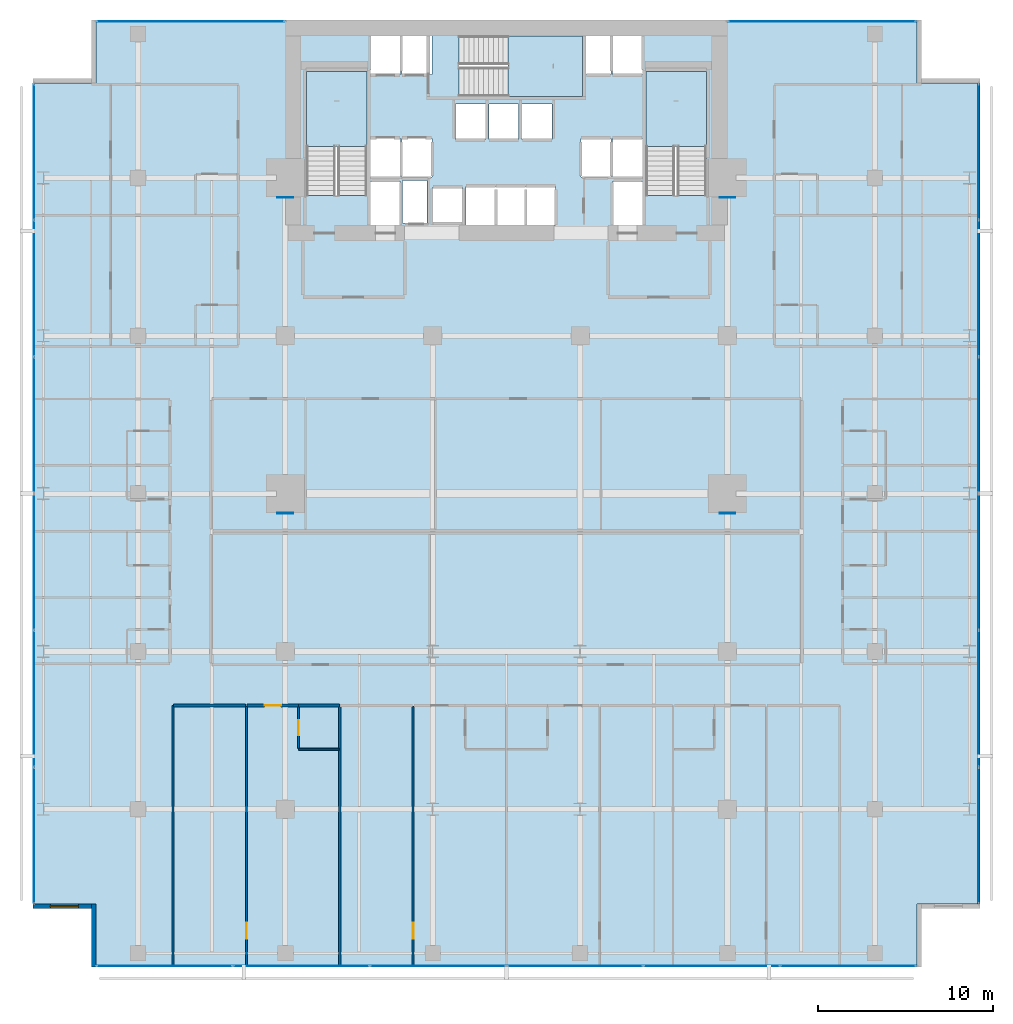
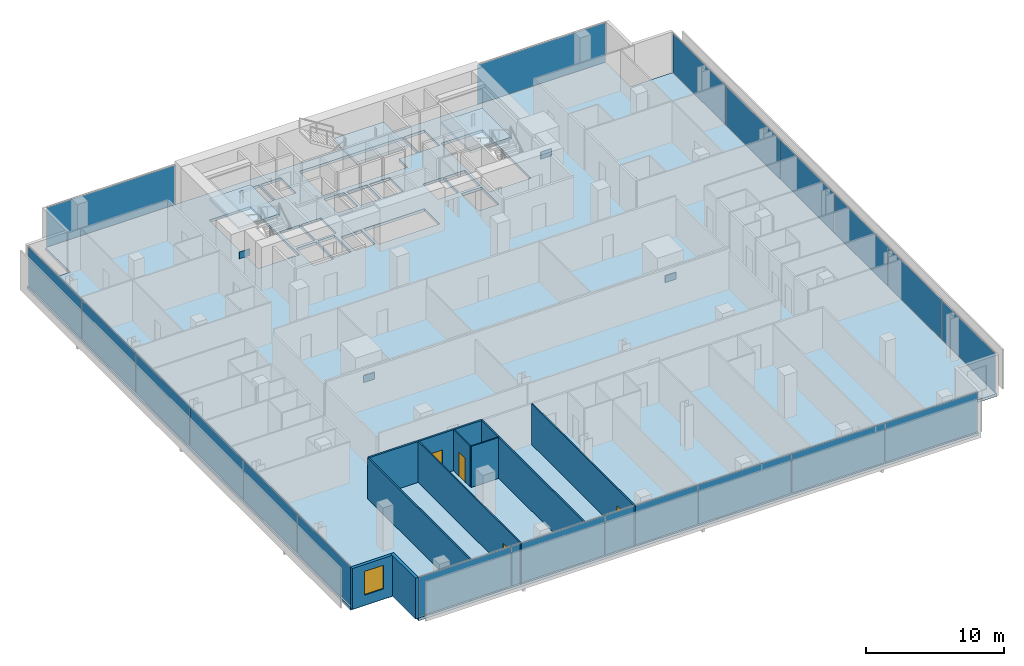
# One storey, part 32 of 40: 24 plates, 11 walls, 4 doors, 4 slabs, 1 window, 5 openings, 8 elements without a shape of their own.
"""IFC4 building model written with IfcOpenShell, lengths in metres."""

import ifcopenshell
import ifcopenshell.guid

model = None  # the IFC model being written
_history = None  # IfcOwnerHistory: only IFC2X3 demands one
_inside = {}  # id of a spatial element -> (the spatial element, [elements in it])
_under = {}  # id of a project, library or spatial element -> (it, [spatial elements below it])
_declared = {}  # id of a project -> (the project, [libraries it declares])
_typed = {}  # id of a type object -> (the type object, [elements of that type])
_made_of = {}  # id of a material, layer set ... -> (it, [elements and type objects made of it])


def new_model(schema):
    """Start an empty IFC model of exactly this schema.

    Asked for "IFC4X3", IfcOpenShell would pick the latest addendum, in which some entities
    have other attributes; the version numbers below select the first issue.
    IFC2X3 requires an IfcOwnerHistory on every rooted entity: one is made here for all.
    """
    global model, _history
    if schema == "IFC4X3":
        model = ifcopenshell.file(schema_version=(4, 3, 0, 0))
    else:
        model = ifcopenshell.file(schema=schema)
    _inside.clear()
    _under.clear()
    _declared.clear()
    _typed.clear()
    _made_of.clear()
    _history = None
    if model.schema == "IFC2X3":
        org = make("IfcOrganization", Name="unknown")
        user = make(
            "IfcPersonAndOrganization",
            ThePerson=make("IfcPerson", FamilyName="unknown"),
            TheOrganization=org,
        )
        app = make(
            "IfcApplication",
            ApplicationDeveloper=org,
            Version="unknown",
            ApplicationFullName="unknown",
            ApplicationIdentifier="unknown",
        )
        _history = make(
            "IfcOwnerHistory",
            OwningUser=user,
            OwningApplication=app,
            ChangeAction="ADDED",
            CreationDate=0,
        )
    return model


def make(cls, **values):
    """One entity of the class cls with the attributes given. An attribute that is None is left unset."""
    return model.create_entity(
        cls, **{name: value for name, value in values.items() if value is not None}
    )


def rooted(cls, **values):
    """An entity with a GlobalId (a new one), such as an element, a storey or a relation."""
    return make(cls, GlobalId=ifcopenshell.guid.new(), OwnerHistory=_history, **values)


def si_unit(unit_type, name, prefix=None):
    """IfcSIUnit, for example si_unit("LENGTHUNIT", "METRE", prefix="MILLI")."""
    return make("IfcSIUnit", UnitType=unit_type, Prefix=prefix, Name=name)


def assignment(units):
    """IfcUnitAssignment: the units of a project."""
    return None if units is None else make("IfcUnitAssignment", Units=units)


def point(xyz):
    """IfcCartesianPoint."""
    return None if xyz is None else make("IfcCartesianPoint", Coordinates=xyz)


def direction(xyz):
    """IfcDirection."""
    return None if xyz is None else make("IfcDirection", DirectionRatios=xyz)


def frame(location, z_axis=None, x_axis=None):
    """IfcAxis2Placement3D, a coordinate frame: its origin and axes. An axis left out is left unset."""
    return make(
        "IfcAxis2Placement3D",
        Location=point(location),
        Axis=direction(z_axis),
        RefDirection=direction(x_axis),
    )


def frame_2d(location, x_axis=None):
    """IfcAxis2Placement2D, a coordinate frame in the plane: its origin and x axis."""
    return make(
        "IfcAxis2Placement2D", Location=point(location), RefDirection=direction(x_axis)
    )


def origin():
    """The frame at (0, 0, 0) with its axes left unset."""
    return frame((0.0, 0.0, 0.0))


def origin_2d():
    """The frame at (0, 0) in the plane with its x axis left unset."""
    return frame_2d((0.0, 0.0))


def place(relative_to, where):
    """IfcLocalPlacement: puts the frame where relative to a parent placement (None: the world)."""
    return make(
        "IfcLocalPlacement", PlacementRelTo=relative_to, RelativePlacement=where
    )


def context(
    kind, dimensions, precision=None, world=None, true_north=None, identifier=None
):
    """IfcGeometricRepresentationContext, for example the 3D "Model" context."""
    return make(
        "IfcGeometricRepresentationContext",
        ContextIdentifier=identifier,
        ContextType=kind,
        CoordinateSpaceDimension=dimensions,
        Precision=precision,
        WorldCoordinateSystem=world,
        TrueNorth=true_north,
    )


def subcontext(parent, identifier, kind, view, scale=None):
    """IfcGeometricRepresentationSubContext, for example "Body" below "Model"."""
    return make(
        "IfcGeometricRepresentationSubContext",
        ContextIdentifier=identifier,
        ContextType=kind,
        ParentContext=parent,
        TargetScale=scale,
        TargetView=view,
    )


def project(units=None, contexts=None):
    """IfcProject with its units and contexts."""
    return rooted(
        "IfcProject",
        Name="project",
        RepresentationContexts=contexts,
        UnitsInContext=assignment(units),
    )


def spatial(cls, under=None, at=None, **own):
    """A site, building, storey or space (cls), placed at a placement, below another one or the project."""
    s = rooted(cls, ObjectPlacement=at, **own)
    if under is not None:
        _under.setdefault(under.id(), (under, []))[1].append(s)
    return s


def polyline(points):
    """IfcPolyline through the points."""
    return make("IfcPolyline", Points=[point(p) for p in points])


def profile(cls, at=None, kind="AREA", **sizes):
    """A parametric profile (cls). Its sizes go by their IFC names, for example OverallWidth=200.0."""
    return make(cls, ProfileType=kind, Position=at, **sizes)


def rectangle(**sizes):
    """IfcRectangleProfileDef."""
    return profile("IfcRectangleProfileDef", **sizes)


def outline(outer, holes=None, kind="AREA"):
    """IfcArbitraryClosedProfileDef: a profile drawn as a closed curve; with holes, ...WithVoids."""
    if holes is None:
        return make("IfcArbitraryClosedProfileDef", ProfileType=kind, OuterCurve=outer)
    return make(
        "IfcArbitraryProfileDefWithVoids",
        ProfileType=kind,
        OuterCurve=outer,
        InnerCurves=holes,
    )


def extrude(swept, where, along, depth):
    """IfcExtrudedAreaSolid: the profile swept, set in the frame where, extruded along a direction by depth."""
    return make(
        "IfcExtrudedAreaSolid",
        SweptArea=swept,
        Position=where,
        ExtrudedDirection=direction(along),
        Depth=depth,
    )


def shape(context_of_items, identifier, shape_type, items):
    """IfcShapeRepresentation: the items that make up one representation, for example the "Body"."""
    return make(
        "IfcShapeRepresentation",
        ContextOfItems=context_of_items,
        RepresentationIdentifier=identifier,
        RepresentationType=shape_type,
        Items=items,
    )


def material(Name=None, Category=None):
    """IfcMaterial."""
    return make("IfcMaterial", Name=Name, Category=Category)


def layer(
    of_material, thickness, ventilated=None, Name=None, Category=None, Priority=None
):
    """IfcMaterialLayer: one layer of a wall or slab, of a material (None: an air gap)."""
    return make(
        "IfcMaterialLayer",
        Material=of_material,
        LayerThickness=thickness,
        IsVentilated=ventilated,
        Name=Name,
        Category=Category,
        Priority=Priority,
    )


def layer_set(layers, Name=None):
    """IfcMaterialLayerSet."""
    return make("IfcMaterialLayerSet", MaterialLayers=layers, LayerSetName=Name)


def made_of(thing, what):
    """Note that an element or type object is made of a material, layer set ...; save() writes the relation."""
    if what is not None:
        _made_of.setdefault(what.id(), (what, []))[1].append(thing)
    return thing


def type_object(cls, material=None, **own):
    """A type object (cls), such as IfcWallType, which elements share."""
    return made_of(rooted(cls, **own), material)


def element(
    cls,
    number,
    at=None,
    inside=None,
    cuts=None,
    type_object=None,
    material=None,
    context=None,
    identifier="Body",
    shape_type=None,
    held_by="IfcProductDefinitionShape",
    body=None,
    shapes=None,
    **own,
):
    """One element of the class cls, such as IfcWall. Its Tag is "e" and its number.

    at: its placement. inside: the storey or other place that contains it. cuts: it is an
    opening in that element (IfcRelVoidsElement). A single representation is given by context,
    identifier, shape_type and body (its items); several are given by shapes. held_by: the class
    of the entity that holds the representations. save() writes the other relations.
    """
    e = rooted(cls, Tag="e%d" % number, ObjectPlacement=at, **own)
    if body is not None:
        shapes = [shape(context, identifier, shape_type, body)]
    if shapes is not None:
        e.Representation = make(held_by, Representations=shapes)
    if inside is not None:
        _inside.setdefault(inside.id(), (inside, []))[1].append(e)
    if cuts is not None:
        rooted(
            "IfcRelVoidsElement", RelatingBuildingElement=cuts, RelatedOpeningElement=e
        )
    if type_object is not None:
        _typed.setdefault(type_object.id(), (type_object, []))[1].append(e)
    return made_of(e, material)


def fill(opening, filler):
    """IfcRelFillsElement: the door or window that sits in an opening."""
    return rooted(
        "IfcRelFillsElement",
        RelatingOpeningElement=opening,
        RelatedBuildingElement=filler,
    )


def aggregate(whole, parts):
    """IfcRelAggregates: a whole, such as a stair, and the parts it consists of."""
    return rooted("IfcRelAggregates", RelatingObject=whole, RelatedObjects=parts)


def save(model, path):
    """Write the relations noted so far, then the file.

    IfcRelAggregates (storeys below a building ...), IfcRelContainedInSpatialStructure (elements
    in a storey), IfcRelDefinesByType, IfcRelAssociatesMaterial and IfcRelDeclares: one each for
    every whole, place, type object, material and project.
    """
    for whole, parts in _under.values():
        aggregate(whole, parts)
    for where, things in _inside.values():
        rooted(
            "IfcRelContainedInSpatialStructure",
            RelatedElements=things,
            RelatingStructure=where,
        )
    for kind, things in _typed.values():
        rooted("IfcRelDefinesByType", RelatedObjects=things, RelatingType=kind)
    for what, things in _made_of.values():
        rooted("IfcRelAssociatesMaterial", RelatedObjects=things, RelatingMaterial=what)
    for by, libraries in _declared.values():
        rooted("IfcRelDeclares", RelatingContext=by, RelatedDefinitions=libraries)
    model.write(path)


model = new_model("IFC4")

# Units and contexts
model_context = context("Model", 3, precision=1e-05, world=origin(), true_north=direction((0.0, 1.0)))
body_context = subcontext(model_context, "Body", "Model", "MODEL_VIEW")
ifc_project = project(units=[si_unit("LENGTHUNIT", "METRE"), si_unit("AREAUNIT", "SQUARE_METRE"), si_unit("VOLUMEUNIT", "CUBIC_METRE"), si_unit("PLANEANGLEUNIT", "RADIAN"), si_unit("MASSUNIT", "GRAM", prefix="KILO")], contexts=[model_context])

# Site, building, storey
site_placement = place(None, origin())
site = spatial("IfcSite", under=ifc_project, at=site_placement, CompositionType="ELEMENT")
building_placement = place(site_placement, origin())
building = spatial("IfcBuilding", under=site, at=building_placement, Name="Maruvema Waterfront Hotel and Observation Tower", CompositionType="ELEMENT")
storey_placement = place(building_placement, frame((0.0, 0.0, 103.949951171875)))
storey = spatial("IfcBuildingStorey", under=building, at=storey_placement, Name="L25", CompositionType="ELEMENT", Elevation=103.949951171875)

# Slab
ifc_material_1 = material(Name="Concrete C50/60", Category="concrete")
ifc_layer_1 = layer(ifc_material_1, 0.239990234375, Name="Reinforced Concrete Floor Slab 240 mm")
ifc_layer_set_1 = layer_set([ifc_layer_1], Name="Concrete C50/60")
slab_type_1 = type_object("IfcSlabType", Name="Reinforced Concrete Floor Slab 240 mm", PredefinedType="FLOOR", material=ifc_layer_set_1)
slab_1_placement = place(storey_placement, frame((0.0, 0.0, -0.239990234375)))
element("IfcSlab", 1, at=slab_1_placement, inside=storey, type_object=slab_type_1, Name="L25 Structural Floor Slab", PredefinedType="FLOOR", context=body_context, shape_type="SweptSolid", body=[
    extrude(outline(polyline([(14.39990234375, 0.0), (61.199951171875, 0.0), (61.199951171875, 3.60009765625), (64.800048828125, 3.60009765625), (64.800048828125, 50.39990234375), (61.199951171875, 50.39990234375), (61.199951171875, 54.0), (14.39990234375, 54.0), (14.39990234375, 50.39990234375), (10.800048828125, 50.39990234375), (10.800048828125, 3.60009765625), (14.39990234375, 3.60009765625), (14.39990234375, 0.0)]), holes=[polyline([(26.39990234375, 44.00048828125), (26.39990234375, 51.050048828125), (29.85009765625, 51.050048828125), (29.85009765625, 44.00048828125), (26.39990234375, 44.00048828125)]), polyline([(30.050048828125, 44.800048828125), (31.75, 44.800048828125), (31.75, 42.320068359375), (30.050048828125, 42.320068359375), (30.050048828125, 44.800048828125)]), polyline([(31.75, 47.25), (31.75, 45.050048828125), (30.050048828125, 45.050048828125), (30.050048828125, 47.25), (31.75, 47.25)]), polyline([(31.75, 53.10009765625), (31.75, 50.89990234375), (30.050048828125, 50.89990234375), (30.050048828125, 53.10009765625), (31.75, 53.10009765625)]), polyline([(33.280029296875, 44.860107421875), (33.280029296875, 42.43994140625), (31.8798828125, 42.43994140625), (31.8798828125, 44.860107421875), (33.280029296875, 44.860107421875)]), polyline([(31.85009765625, 47.25), (33.550048828125, 47.25), (33.550048828125, 45.050048828125), (31.85009765625, 45.050048828125), (31.85009765625, 47.25)]), polyline([(31.85009765625, 53.10009765625), (33.550048828125, 53.10009765625), (33.550048828125, 50.89990234375), (31.85009765625, 50.89990234375), (31.85009765625, 53.10009765625)]), polyline([(33.60009765625, 44.449951171875), (35.300048828125, 44.449951171875), (35.300048828125, 42.449951171875), (33.60009765625, 42.449951171875), (33.60009765625, 44.449951171875)]), polyline([(34.89990234375, 49.199951171875), (36.60009765625, 49.199951171875), (36.60009765625, 47.199951171875), (34.89990234375, 47.199951171875), (34.89990234375, 49.199951171875)]), polyline([(38.5, 49.199951171875), (38.5, 47.199951171875), (36.800048828125, 47.199951171875), (36.800048828125, 49.199951171875), (38.5, 49.199951171875)]), polyline([(35.5, 44.5), (40.60009765625, 44.5), (40.60009765625, 42.300048828125), (35.5, 42.300048828125), (35.5, 44.5)]), polyline([(43.75, 50.89990234375), (42.14990234375, 50.89990234375), (42.14990234375, 49.64990234375), (35.1005859375, 49.64990234375), (35.1005859375, 53.10009765625), (43.75, 53.10009765625), (43.75, 50.89990234375)]), polyline([(40.39990234375, 49.199951171875), (40.39990234375, 47.199951171875), (38.699951171875, 47.199951171875), (38.699951171875, 49.199951171875), (40.39990234375, 49.199951171875)]), polyline([(43.75, 47.25), (43.75, 45.050048828125), (42.050048828125, 45.050048828125), (42.050048828125, 47.25), (43.75, 47.25)]), polyline([(45.550048828125, 44.800048828125), (45.550048828125, 42.320068359375), (43.85009765625, 42.320068359375), (43.85009765625, 44.800048828125), (45.550048828125, 44.800048828125)]), polyline([(43.85009765625, 47.25), (45.550048828125, 47.25), (45.550048828125, 45.050048828125), (43.85009765625, 45.050048828125), (43.85009765625, 47.25)]), polyline([(45.550048828125, 53.10009765625), (45.550048828125, 50.89990234375), (43.85009765625, 50.89990234375), (43.85009765625, 53.10009765625), (45.550048828125, 53.10009765625)]), polyline([(45.75, 51.050048828125), (49.199951171875, 51.050048828125), (49.199951171875, 44.00048828125), (45.75, 44.00048828125), (45.75, 51.050048828125)])]), origin(), (0.0, 0.0, 1.0), 0.239990234375),
])

# Curtain wall, plates
ifc_material_2 = material(Name="Anodised bronze aluminium and solar-control low-E IGU", Category="aluminium")
ifc_layer_2 = layer(ifc_material_2, 0.159912109375, Name="Zone 1 Bronze Inner Thermal Curtain Wall System CW-02")
ifc_layer_set_2 = layer_set([ifc_layer_2], Name="Anodised bronze aluminium and solar-control low-E IGU")
curtain_wall_type = type_object("IfcCurtainWallType", Name="Zone 1 Bronze Inner Thermal Curtain Wall System CW-02", PredefinedType="USERDEFINED", material=ifc_layer_set_2)
curtain_wall_1_placement = place(storey_placement, origin())
curtain_wall_1 = element("IfcCurtainWall", 2, at=curtain_wall_1_placement, inside=storey, type_object=curtain_wall_type, Name="L25 Curtain Wall CW-L25-S", ObjectType="UNITISED CURTAIN WALL", PredefinedType="USERDEFINED")
ifc_material_3 = material(Name="Laminated low-E solar-control double glazing", Category="glass")
ifc_layer_3 = layer(ifc_material_3, 0.035888671875, Name="Solar Control Double-Glazed Curtain Panel 36 mm")
ifc_layer_set_3 = layer_set([ifc_layer_3], Name="Laminated low-E solar-control double glazing")
plate_type_1 = type_object("IfcPlateType", Name="Solar Control Double-Glazed Curtain Panel 36 mm", PredefinedType="CURTAIN_PANEL", material=ifc_layer_set_3)
plate_1_placement = place(storey_placement, frame((18.31494140625, 0.080078125, 0.06005859375), z_axis=(0.0, 0.0, 1.0), x_axis=(1.0, 0.0, 0.0)))
plate_1 = element("IfcPlate", 3, at=plate_1_placement, type_object=plate_type_1, Name="CW-02 panel 1.1", PredefinedType="CURTAIN_PANEL", context=body_context, shape_type="SweptSolid", body=[
    extrude(rectangle(XDim=7.7099609375, YDim=0.028076171875, at=origin_2d()), origin(), (0.0, 0.0, 1.0), 3.489990234375),
])
plate_2_placement = place(storey_placement, frame((26.10009765625, 0.080078125, 0.06005859375), z_axis=(0.0, 0.0, 1.0), x_axis=(1.0, 0.0, 0.0)))
plate_2 = element("IfcPlate", 4, at=plate_2_placement, type_object=plate_type_1, Name="CW-02 panel 2.1", PredefinedType="CURTAIN_PANEL", context=body_context, shape_type="SweptSolid", body=[
    extrude(rectangle(XDim=7.739990234375, YDim=0.028076171875, at=origin_2d()), origin(), (0.0, 0.0, 1.0), 3.489990234375),
])
plate_3_placement = place(storey_placement, frame((33.89990234375, 0.080078125, 0.06005859375), z_axis=(0.0, 0.0, 1.0), x_axis=(1.0, 0.0, 0.0)))
plate_3 = element("IfcPlate", 5, at=plate_3_placement, type_object=plate_type_1, Name="CW-02 panel 3.1", PredefinedType="CURTAIN_PANEL", context=body_context, shape_type="SweptSolid", body=[
    extrude(rectangle(XDim=7.739990234375, YDim=0.028076171875, at=origin_2d()), origin(), (0.0, 0.0, 1.0), 3.489990234375),
])
plate_4_placement = place(storey_placement, frame((41.699951171875, 0.080078125, 0.06005859375), z_axis=(0.0, 0.0, 1.0), x_axis=(1.0, 0.0, 0.0)))
plate_4 = element("IfcPlate", 6, at=plate_4_placement, type_object=plate_type_1, Name="CW-02 panel 4.1", PredefinedType="CURTAIN_PANEL", context=body_context, shape_type="SweptSolid", body=[
    extrude(rectangle(XDim=7.739990234375, YDim=0.028076171875, at=origin_2d()), origin(), (0.0, 0.0, 1.0), 3.489990234375),
])
plate_5_placement = place(storey_placement, frame((49.5, 0.080078125, 0.06005859375), z_axis=(0.0, 0.0, 1.0), x_axis=(1.0, 0.0, 0.0)))
plate_5 = element("IfcPlate", 7, at=plate_5_placement, type_object=plate_type_1, Name="CW-02 panel 5.1", PredefinedType="CURTAIN_PANEL", context=body_context, shape_type="SweptSolid", body=[
    extrude(rectangle(XDim=7.739990234375, YDim=0.028076171875, at=origin_2d()), origin(), (0.0, 0.0, 1.0), 3.489990234375),
])
plate_6_placement = place(storey_placement, frame((57.284912109375, 0.080078125, 0.06005859375), z_axis=(0.0, 0.0, 1.0), x_axis=(1.0, 0.0, 0.0)))
plate_6 = element("IfcPlate", 8, at=plate_6_placement, type_object=plate_type_1, Name="CW-02 panel 6.1", PredefinedType="CURTAIN_PANEL", context=body_context, shape_type="SweptSolid", body=[
    extrude(rectangle(XDim=7.7099609375, YDim=0.028076171875, at=origin_2d()), origin(), (0.0, 0.0, 1.0), 3.489990234375),
])
aggregate(curtain_wall_1, [plate_1, plate_2, plate_3, plate_4, plate_5, plate_6])

curtain_wall_2_placement = place(storey_placement, origin())
curtain_wall_2 = element("IfcCurtainWall", 9, at=curtain_wall_2_placement, inside=storey, type_object=curtain_wall_type, Name="L25 Curtain Wall CW-L25-E", ObjectType="UNITISED CURTAIN WALL", PredefinedType="USERDEFINED")
plate_7_placement = place(storey_placement, frame((64.719970703125, 7.514892578125, 0.06005859375), z_axis=(0.0, 0.0, 1.0), x_axis=(0.0, 1.0, 0.0)))
plate_7 = element("IfcPlate", 10, at=plate_7_placement, type_object=plate_type_1, Name="CW-02 panel 1.1", PredefinedType="CURTAIN_PANEL", context=body_context, shape_type="SweptSolid", body=[
    extrude(rectangle(XDim=7.7099609375, YDim=0.028076171875, at=origin_2d()), origin(), (0.0, 0.0, 1.0), 3.489990234375),
])
plate_8_placement = place(storey_placement, frame((64.719970703125, 15.300048828125, 0.06005859375), z_axis=(0.0, 0.0, 1.0), x_axis=(0.0, 1.0, 0.0)))
plate_8 = element("IfcPlate", 11, at=plate_8_placement, type_object=plate_type_1, Name="CW-02 panel 2.1", PredefinedType="CURTAIN_PANEL", context=body_context, shape_type="SweptSolid", body=[
    extrude(rectangle(XDim=7.739990234375, YDim=0.028076171875, at=origin_2d()), origin(), (0.0, 0.0, 1.0), 3.489990234375),
])
plate_9_placement = place(storey_placement, frame((64.719970703125, 23.10009765625, 0.06005859375), z_axis=(0.0, 0.0, 1.0), x_axis=(0.0, 1.0, 0.0)))
plate_9 = element("IfcPlate", 12, at=plate_9_placement, type_object=plate_type_1, Name="CW-02 panel 3.1", PredefinedType="CURTAIN_PANEL", context=body_context, shape_type="SweptSolid", body=[
    extrude(rectangle(XDim=7.739990234375, YDim=0.028076171875, at=origin_2d()), origin(), (0.0, 0.0, 1.0), 3.489990234375),
])
plate_10_placement = place(storey_placement, frame((64.719970703125, 30.89990234375, 0.06005859375), z_axis=(0.0, 0.0, 1.0), x_axis=(0.0, 1.0, 0.0)))
plate_10 = element("IfcPlate", 13, at=plate_10_placement, type_object=plate_type_1, Name="CW-02 panel 4.1", PredefinedType="CURTAIN_PANEL", context=body_context, shape_type="SweptSolid", body=[
    extrude(rectangle(XDim=7.739990234375, YDim=0.028076171875, at=origin_2d()), origin(), (0.0, 0.0, 1.0), 3.489990234375),
])
plate_11_placement = place(storey_placement, frame((64.719970703125, 38.699951171875, 0.06005859375), z_axis=(0.0, 0.0, 1.0), x_axis=(0.0, 1.0, 0.0)))
plate_11 = element("IfcPlate", 14, at=plate_11_placement, type_object=plate_type_1, Name="CW-02 panel 5.1", PredefinedType="CURTAIN_PANEL", context=body_context, shape_type="SweptSolid", body=[
    extrude(rectangle(XDim=7.739990234375, YDim=0.028076171875, at=origin_2d()), origin(), (0.0, 0.0, 1.0), 3.489990234375),
])
plate_12_placement = place(storey_placement, frame((64.719970703125, 46.485107421875, 0.06005859375), z_axis=(0.0, 0.0, 1.0), x_axis=(0.0, 1.0, 0.0)))
plate_12 = element("IfcPlate", 15, at=plate_12_placement, type_object=plate_type_1, Name="CW-02 panel 6.1", PredefinedType="CURTAIN_PANEL", context=body_context, shape_type="SweptSolid", body=[
    extrude(rectangle(XDim=7.7099609375, YDim=0.028076171875, at=origin_2d()), origin(), (0.0, 0.0, 1.0), 3.489990234375),
])
aggregate(curtain_wall_2, [plate_7, plate_8, plate_9, plate_10, plate_11, plate_12])

curtain_wall_3_placement = place(storey_placement, origin())
curtain_wall_3 = element("IfcCurtainWall", 16, at=curtain_wall_3_placement, inside=storey, type_object=curtain_wall_type, Name="L25 Curtain Wall CW-L25-W", ObjectType="UNITISED CURTAIN WALL", PredefinedType="USERDEFINED")
plate_13_placement = place(storey_placement, frame((10.8798828125, 46.485107421875, 0.06005859375), z_axis=(0.0, 0.0, 1.0), x_axis=(0.0, -1.0, 0.0)))
plate_13 = element("IfcPlate", 17, at=plate_13_placement, type_object=plate_type_1, Name="CW-02 panel 1.1", PredefinedType="CURTAIN_PANEL", context=body_context, shape_type="SweptSolid", body=[
    extrude(rectangle(XDim=7.7099609375, YDim=0.028076171875, at=origin_2d()), origin(), (0.0, 0.0, 1.0), 3.489990234375),
])
plate_14_placement = place(storey_placement, frame((10.8798828125, 38.699951171875, 0.06005859375), z_axis=(0.0, 0.0, 1.0), x_axis=(0.0, -1.0, 0.0)))
plate_14 = element("IfcPlate", 18, at=plate_14_placement, type_object=plate_type_1, Name="CW-02 panel 2.1", PredefinedType="CURTAIN_PANEL", context=body_context, shape_type="SweptSolid", body=[
    extrude(rectangle(XDim=7.739990234375, YDim=0.028076171875, at=origin_2d()), origin(), (0.0, 0.0, 1.0), 3.489990234375),
])
plate_15_placement = place(storey_placement, frame((10.8798828125, 30.89990234375, 0.06005859375), z_axis=(0.0, 0.0, 1.0), x_axis=(0.0, -1.0, 0.0)))
plate_15 = element("IfcPlate", 19, at=plate_15_placement, type_object=plate_type_1, Name="CW-02 panel 3.1", PredefinedType="CURTAIN_PANEL", context=body_context, shape_type="SweptSolid", body=[
    extrude(rectangle(XDim=7.739990234375, YDim=0.028076171875, at=origin_2d()), origin(), (0.0, 0.0, 1.0), 3.489990234375),
])
plate_16_placement = place(storey_placement, frame((10.8798828125, 23.10009765625, 0.06005859375), z_axis=(0.0, 0.0, 1.0), x_axis=(0.0, -1.0, 0.0)))
plate_16 = element("IfcPlate", 20, at=plate_16_placement, type_object=plate_type_1, Name="CW-02 panel 4.1", PredefinedType="CURTAIN_PANEL", context=body_context, shape_type="SweptSolid", body=[
    extrude(rectangle(XDim=7.739990234375, YDim=0.028076171875, at=origin_2d()), origin(), (0.0, 0.0, 1.0), 3.489990234375),
])
plate_17_placement = place(storey_placement, frame((10.8798828125, 15.300048828125, 0.06005859375), z_axis=(0.0, 0.0, 1.0), x_axis=(0.0, -1.0, 0.0)))
plate_17 = element("IfcPlate", 21, at=plate_17_placement, type_object=plate_type_1, Name="CW-02 panel 5.1", PredefinedType="CURTAIN_PANEL", context=body_context, shape_type="SweptSolid", body=[
    extrude(rectangle(XDim=7.739990234375, YDim=0.028076171875, at=origin_2d()), origin(), (0.0, 0.0, 1.0), 3.489990234375),
])
plate_18_placement = place(storey_placement, frame((10.8798828125, 7.514892578125, 0.06005859375), z_axis=(0.0, 0.0, 1.0), x_axis=(0.0, -1.0, 0.0)))
plate_18 = element("IfcPlate", 22, at=plate_18_placement, type_object=plate_type_1, Name="CW-02 panel 6.1", PredefinedType="CURTAIN_PANEL", context=body_context, shape_type="SweptSolid", body=[
    extrude(rectangle(XDim=7.7099609375, YDim=0.028076171875, at=origin_2d()), origin(), (0.0, 0.0, 1.0), 3.489990234375),
])
aggregate(curtain_wall_3, [plate_13, plate_14, plate_15, plate_16, plate_17, plate_18])

# Curtain wall, plate
curtain_wall_4_placement = place(storey_placement, origin())
curtain_wall_4 = element("IfcCurtainWall", 23, at=curtain_wall_4_placement, inside=storey, type_object=curtain_wall_type, Name="L25 Curtain Wall CW-L25-NW", ObjectType="UNITISED CURTAIN WALL", PredefinedType="USERDEFINED")
plate_19_placement = place(storey_placement, frame((19.800048828125, 53.919921875, 0.06005859375), z_axis=(0.0, 0.0, 1.0), x_axis=(-1.0, 0.0, 0.0)))
plate_19 = element("IfcPlate", 24, at=plate_19_placement, type_object=plate_type_1, Name="CW-02 panel 1.1", PredefinedType="CURTAIN_PANEL", context=body_context, shape_type="SweptSolid", body=[
    extrude(rectangle(XDim=10.679931640625, YDim=0.028076171875, at=origin_2d()), origin(), (0.0, 0.0, 1.0), 3.489990234375),
])
aggregate(curtain_wall_4, [plate_19])

curtain_wall_5_placement = place(storey_placement, origin())
curtain_wall_5 = element("IfcCurtainWall", 25, at=curtain_wall_5_placement, inside=storey, type_object=curtain_wall_type, Name="L25 Curtain Wall CW-L25-NE", ObjectType="UNITISED CURTAIN WALL", PredefinedType="USERDEFINED")
plate_20_placement = place(storey_placement, frame((55.800048828125, 53.919921875, 0.06005859375), z_axis=(0.0, 0.0, 1.0), x_axis=(-1.0, 0.0, 0.0)))
plate_20 = element("IfcPlate", 26, at=plate_20_placement, type_object=plate_type_1, Name="CW-02 panel 1.1", PredefinedType="CURTAIN_PANEL", context=body_context, shape_type="SweptSolid", body=[
    extrude(rectangle(XDim=10.679931640625, YDim=0.028076171875, at=origin_2d()), origin(), (0.0, 0.0, 1.0), 3.489990234375),
])
aggregate(curtain_wall_5, [plate_20])

# Stair, slab
ifc_material_4 = material(Name="Concrete C50/60", Category="concrete")
stair_type = type_object("IfcStairType", Name="Dogleg Exit Stair 1650 mm (22R x 175.0 mm)", PredefinedType="HALF_TURN_STAIR", material=ifc_material_4)
stair_1_placement = place(storey_placement, origin())
stair_1 = element("IfcStair", 27, at=stair_1_placement, inside=storey, type_object=stair_type, Name="L25 ST-01", PredefinedType="HALF_TURN_STAIR")
ifc_material_5 = material(Name="Concrete C50/60", Category="concrete")
ifc_layer_4 = layer(ifc_material_5, 0.219970703125, Name="Stair Concrete Landing Slab 220 mm")
ifc_layer_set_4 = layer_set([ifc_layer_4], Name="Concrete C50/60")
slab_type_2 = type_object("IfcSlabType", Name="Stair Concrete Landing Slab 220 mm", PredefinedType="LANDING", material=ifc_layer_set_4)
slab_2_placement = place(storey_placement, frame((0.0, 0.0, 1.705078125)))
slab_2 = element("IfcSlab", 28, at=slab_2_placement, type_object=slab_type_2, Name="ST-01 landing 1", PredefinedType="LANDING", context=body_context, shape_type="SweptSolid", body=[
    extrude(outline(polyline([(29.85009765625, 46.800048828125), (29.85009765625, 51.050048828125), (26.39990234375, 51.050048828125), (26.39990234375, 46.800048828125), (29.85009765625, 46.800048828125)])), origin(), (0.0, 0.0, 1.0), 0.219970703125),
])
aggregate(stair_1, [slab_2])

stair_2_placement = place(storey_placement, origin())
stair_2 = element("IfcStair", 29, at=stair_2_placement, inside=storey, type_object=stair_type, Name="L25 ST-02", PredefinedType="HALF_TURN_STAIR")
slab_3_placement = place(storey_placement, frame((0.0, 0.0, 1.705078125)))
slab_3 = element("IfcSlab", 30, at=slab_3_placement, type_object=slab_type_2, Name="ST-02 landing 1", PredefinedType="LANDING", context=body_context, shape_type="SweptSolid", body=[
    extrude(outline(polyline([(37.89990234375, 49.64990234375), (42.14990234375, 49.64990234375), (42.14990234375, 53.10009765625), (37.89990234375, 53.10009765625), (37.89990234375, 49.64990234375)])), origin(), (0.0, 0.0, 1.0), 0.219970703125),
])
aggregate(stair_2, [slab_3])

stair_3_placement = place(storey_placement, origin())
stair_3 = element("IfcStair", 31, at=stair_3_placement, inside=storey, type_object=stair_type, Name="L25 ST-03", PredefinedType="HALF_TURN_STAIR")
slab_4_placement = place(storey_placement, frame((0.0, 0.0, 1.705078125)))
slab_4 = element("IfcSlab", 32, at=slab_4_placement, type_object=slab_type_2, Name="ST-03 landing 1", PredefinedType="LANDING", context=body_context, shape_type="SweptSolid", body=[
    extrude(outline(polyline([(49.199951171875, 46.800048828125), (49.199951171875, 51.050048828125), (45.75, 51.050048828125), (45.75, 46.800048828125), (49.199951171875, 46.800048828125)])), origin(), (0.0, 0.0, 1.0), 0.219970703125),
])
aggregate(stair_3, [slab_4])

# Plates
ifc_material_6 = material(Name="Steel ABNT NBR 7007 AR 415 (ASTM A572 Grade 50)", Category="steel")
ifc_layer_5 = layer(ifc_material_6, 0.0400390625, Name="Structural Truss Node Gusset Plate 40 mm")
ifc_layer_set_5 = layer_set([ifc_layer_5], Name="Steel ABNT NBR 7007 AR 415 (ASTM A572 Grade 50)")
plate_type_2 = type_object("IfcPlateType", Name="Structural Truss Node Gusset Plate 40 mm", PredefinedType="USERDEFINED", material=ifc_layer_set_5)
for number, where, z_axis, x_axis, name in (
    (33, (25.199951171875, 25.8798828125, 1.5), (0.0, 0.0, 1.0), (1.0, 0.0, 0.0), "L25 MC-01 Moment Frame Continuity Gusset Plate"),
    (34, (50.39990234375, 25.8798828125, 1.5), (0.0, 0.0, 1.0), (1.0, 0.0, 0.0), "L25 MC-02 Moment Frame Continuity Gusset Plate"),
    (35, (25.199951171875, 43.8798828125, 1.5), (0.0, 0.0, 1.0), (1.0, 0.0, 0.0), "L25 MC-03 Moment Frame Continuity Gusset Plate"),
    (36, (50.39990234375, 43.8798828125, 1.5), (0.0, 0.0, 1.0), (1.0, 0.0, 0.0), "L25 MC-04 Moment Frame Continuity Gusset Plate"),
):
    element("IfcPlate", number, at=place(storey_placement, frame(where, z_axis=z_axis, x_axis=x_axis)), inside=storey, type_object=plate_type_2, Name=name, ObjectType="GUSSET_PLATE", PredefinedType="USERDEFINED", context=body_context, shape_type="SweptSolid", body=[
        extrude(rectangle(XDim=0.89990234375, YDim=0.0400390625, at=origin_2d()), origin(), (0.0, 0.0, 1.0), 0.60009765625),
    ])

# Walls
ifc_material_7 = material(Name="Twin-stud acoustic gypsum drywall", Category="gypsum")
ifc_layer_6 = layer(ifc_material_7, 0.14990234375, Name="Acoustic Corridor and Suite Demising Wall 150 mm")
ifc_layer_set_6 = layer_set([ifc_layer_6], Name="Twin-stud acoustic gypsum drywall")
wall_type_1 = type_object("IfcWallType", Name="Acoustic Corridor and Suite Demising Wall 150 mm", PredefinedType="PARTITIONING", material=ifc_layer_set_6)
wall_1_placement = place(storey_placement, frame((25.949951171875, 14.919921875, 0.0), z_axis=(0.0, 0.0, 1.0), x_axis=(1.0, 0.0, 0.0)))
element("IfcWall", 37, at=wall_1_placement, inside=storey, type_object=wall_type_1, Name="L25 Bath L25-S1 Back Wall 030", PredefinedType="PARTITIONING", context=body_context, shape_type="SweptSolid", body=[
    extrude(rectangle(XDim=2.330078125, YDim=0.14990234375, at=frame_2d((1.1650390625, 0.0))), origin(), (0.0, 0.0, 1.0), 3.610107421875),
])
wall_2_placement = place(storey_placement, frame((18.820068359375, 14.919921875, 0.0), z_axis=(0.0, 0.0, 1.0), x_axis=(1.0, 0.0, 0.0)))
element("IfcWall", 38, at=wall_2_placement, inside=storey, type_object=wall_type_1, Name="L25 Bedroom L25-S1 Back Wall 033", PredefinedType="PARTITIONING", context=body_context, shape_type="SweptSolid", body=[
    extrude(rectangle(XDim=4.119873046875, YDim=0.14990234375, at=frame_2d((2.06005859375, 0.0))), origin(), (0.0, 0.0, 1.0), 3.610107421875),
])

# Wall, opening, door
wall_3_placement = place(storey_placement, frame((23.02001953125, 14.919921875, 0.0), z_axis=(0.0, 0.0, 1.0), x_axis=(1.0, 0.0, 0.0)))
wall_3 = element("IfcWall", 39, at=wall_3_placement, inside=storey, type_object=wall_type_1, Name="L25 Unit L25-S1 Corridor Wall 034", PredefinedType="PARTITIONING", context=body_context, shape_type="SweptSolid", body=[
    extrude(rectangle(XDim=2.929931640625, YDim=0.14990234375, at=frame_2d((1.46484375, 0.0))), origin(), (0.0, 0.0, 1.0), 3.610107421875),
])
opening_1_placement = place(wall_3_placement, frame((0.989990234375, 0.0, 0.0)))
opening_1 = element("IfcOpeningElement", 40, at=opening_1_placement, cuts=wall_3, Name="Opening DR-095", PredefinedType="OPENING", context=body_context, shape_type="SweptSolid", body=[
    extrude(rectangle(XDim=0.949951171875, YDim=2.14990234375, at=frame_2d((0.47509765625, 1.074951171875))), frame((0.0, 0.0849609375, 0.0), z_axis=(0.0, -1.0, 0.0), x_axis=(1.0, 0.0, 0.0)), (0.0, 0.0, 1.0), 0.169921875),
])
ifc_material_8 = material(Name="Acoustic solid-core hardwood timber leaf", Category="wood")
door_type_1 = type_object("IfcDoorType", Name="Guestroom Entrance Fire Door 950x2150 mm", OperationType="NOTDEFINED", PredefinedType="DOOR", material=ifc_material_8)
door_1_placement = place(opening_1_placement, frame((0.949951171875, 0.0, 0.0), z_axis=(0.0, 0.0, 1.0), x_axis=(-1.0, 0.0, 0.0)))
door_1 = element("IfcDoor", 41, at=door_1_placement, inside=storey, type_object=door_type_1, Name="L25 Unit L25-S1 Entrance Door", OperationType="SINGLE_SWING_LEFT", OverallHeight=2.14990234375, OverallWidth=0.949951171875, PredefinedType="DOOR", context=body_context, shape_type="SweptSolid", body=[
    extrude(rectangle(XDim=0.949951171875, YDim=2.14990234375, at=frame_2d((0.47509765625, 1.074951171875))), frame((0.0, 0.02490234375, 0.0), z_axis=(0.0, -1.0, 0.0), x_axis=(1.0, 0.0, 0.0)), (0.0, 0.0, 1.0), 0.050048828125),
])
fill(opening_1, door_1)

# Wall
ifc_material_9 = material(Name="Moisture-resistant cement-board drywall", Category="gypsum")
ifc_layer_7 = layer(ifc_material_9, 0.10009765625, Name="En-Suite Moisture-Resistant Partition 100 mm")
ifc_layer_set_7 = layer_set([ifc_layer_7], Name="Moisture-resistant cement-board drywall")
wall_type_2 = type_object("IfcWallType", Name="En-Suite Moisture-Resistant Partition 100 mm", PredefinedType="PARTITIONING", material=ifc_layer_set_7)
wall_4_placement = place(storey_placement, frame((25.949951171875, 12.419921875, 0.0), z_axis=(0.0, 0.0, 1.0), x_axis=(1.0, 0.0, 0.0)))
element("IfcWall", 42, at=wall_4_placement, inside=storey, type_object=wall_type_2, Name="L25 En-Suite L25-S1 South 031", PredefinedType="PARTITIONING", context=body_context, shape_type="SweptSolid", body=[
    extrude(rectangle(XDim=2.31005859375, YDim=0.10009765625, at=frame_2d((1.155029296875, 0.0))), origin(), (0.0, 0.0, 1.0), 3.610107421875),
])

# Wall, opening, door
wall_5_placement = place(storey_placement, frame((25.949951171875, 12.47998046875, 0.0), z_axis=(0.0, 0.0, 1.0), x_axis=(0.0, 1.0, 0.0)))
wall_5 = element("IfcWall", 43, at=wall_5_placement, inside=storey, type_object=wall_type_2, Name="L25 En-Suite L25-S1 West 032", PredefinedType="PARTITIONING", context=body_context, shape_type="SweptSolid", body=[
    extrude(rectangle(XDim=2.340087890625, YDim=0.10009765625, at=frame_2d((1.169921875, 0.0))), origin(), (0.0, 0.0, 1.0), 3.610107421875),
])
opening_2_placement = place(wall_5_placement, frame((0.7451171875, 0.0, 0.0)))
opening_2 = element("IfcOpeningElement", 44, at=opening_2_placement, cuts=wall_5, Name="Opening DR-085", PredefinedType="OPENING", context=body_context, shape_type="SweptSolid", body=[
    extrude(rectangle(XDim=0.85009765625, YDim=2.10009765625, at=frame_2d((0.425048828125, 1.050048828125))), frame((0.0, 0.06005859375, 0.0), z_axis=(0.0, -1.0, 0.0), x_axis=(1.0, 0.0, 0.0)), (0.0, 0.0, 1.0), 0.1201171875),
])
ifc_material_10 = material(Name="Moisture-resistant solid timber leaf", Category="wood")
door_type_2 = type_object("IfcDoorType", Name="En-Suite Bathroom Door 850x2100 mm", OperationType="NOTDEFINED", PredefinedType="DOOR", material=ifc_material_10)
door_2_placement = place(opening_2_placement, origin())
door_2 = element("IfcDoor", 45, at=door_2_placement, inside=storey, type_object=door_type_2, Name="L25 En-Suite L25-S1 Door", OperationType="SINGLE_SWING_RIGHT", OverallHeight=2.10009765625, OverallWidth=0.85009765625, PredefinedType="DOOR", context=body_context, shape_type="SweptSolid", body=[
    extrude(rectangle(XDim=0.85009765625, YDim=2.10009765625, at=frame_2d((0.425048828125, 1.050048828125))), frame((0.0, 0.02490234375, 0.0), z_axis=(0.0, -1.0, 0.0), x_axis=(1.0, 0.0, 0.0)), (0.0, 0.0, 1.0), 0.050048828125),
])
fill(opening_2, door_2)

wall_6_placement = place(storey_placement, frame((22.97998046875, 0.030029296875, 0.0), z_axis=(0.0, 0.0, 1.0), x_axis=(0.0, 1.0, 0.0)))
wall_6 = element("IfcWall", 46, at=wall_6_placement, inside=storey, type_object=wall_type_2, Name="L25 Suite L25-S1 Split 035", PredefinedType="PARTITIONING", context=body_context, shape_type="SweptSolid", body=[
    extrude(rectangle(XDim=14.830078125, YDim=0.10009765625, at=frame_2d((7.4150390625, 0.0))), origin(), (0.0, 0.0, 1.0), 3.610107421875),
])
opening_3_placement = place(wall_6_placement, frame((1.60009765625, 0.0, 0.0)))
opening_3 = element("IfcOpeningElement", 47, at=opening_3_placement, cuts=wall_6, Name="Opening DR-090", PredefinedType="OPENING", context=body_context, shape_type="SweptSolid", body=[
    extrude(rectangle(XDim=0.89990234375, YDim=2.10009765625, at=frame_2d((0.449951171875, 1.050048828125))), frame((0.0, 0.06005859375, 0.0), z_axis=(0.0, -1.0, 0.0), x_axis=(1.0, 0.0, 0.0)), (0.0, 0.0, 1.0), 0.1201171875),
])
ifc_material_11 = material(Name="Solid-core lacquered timber leaf", Category="wood")
door_type_3 = type_object("IfcDoorType", Name="Accessible Toilet and Room Door 900x2100 mm", OperationType="NOTDEFINED", PredefinedType="DOOR", material=ifc_material_11)
door_3_placement = place(opening_3_placement, frame((0.89990234375, 0.0, 0.0), z_axis=(0.0, 0.0, 1.0), x_axis=(-1.0, 0.0, 0.0)))
door_3 = element("IfcDoor", 48, at=door_3_placement, inside=storey, type_object=door_type_3, Name="L25 Suite L25-S1 Bedroom Door", OperationType="SINGLE_SWING_RIGHT", OverallHeight=2.10009765625, OverallWidth=0.89990234375, PredefinedType="DOOR", context=body_context, shape_type="SweptSolid", body=[
    extrude(rectangle(XDim=0.89990234375, YDim=2.10009765625, at=frame_2d((0.449951171875, 1.050048828125))), frame((0.0, 0.02490234375, 0.0), z_axis=(0.0, -1.0, 0.0), x_axis=(1.0, 0.0, 0.0)), (0.0, 0.0, 1.0), 0.050048828125),
])
fill(opening_3, door_3)

wall_7_placement = place(storey_placement, frame((32.47998046875, 0.030029296875, 0.0), z_axis=(0.0, 0.0, 1.0), x_axis=(0.0, 1.0, 0.0)))
wall_7 = element("IfcWall", 49, at=wall_7_placement, inside=storey, type_object=wall_type_2, Name="L25 Suite L25-S2 Split 042", PredefinedType="PARTITIONING", context=body_context, shape_type="SweptSolid", body=[
    extrude(rectangle(XDim=14.830078125, YDim=0.10009765625, at=frame_2d((7.4150390625, 0.0))), origin(), (0.0, 0.0, 1.0), 3.610107421875),
])
opening_4_placement = place(wall_7_placement, frame((1.60009765625, 0.0, 0.0)))
opening_4 = element("IfcOpeningElement", 50, at=opening_4_placement, cuts=wall_7, Name="Opening DR-090", PredefinedType="OPENING", context=body_context, shape_type="SweptSolid", body=[
    extrude(rectangle(XDim=0.89990234375, YDim=2.10009765625, at=frame_2d((0.449951171875, 1.050048828125))), frame((0.0, 0.06005859375, 0.0), z_axis=(0.0, -1.0, 0.0), x_axis=(1.0, 0.0, 0.0)), (0.0, 0.0, 1.0), 0.1201171875),
])
door_4_placement = place(opening_4_placement, frame((0.89990234375, 0.0, 0.0), z_axis=(0.0, 0.0, 1.0), x_axis=(-1.0, 0.0, 0.0)))
door_4 = element("IfcDoor", 51, at=door_4_placement, inside=storey, type_object=door_type_3, Name="L25 Suite L25-S2 Bedroom Door", OperationType="SINGLE_SWING_LEFT", OverallHeight=2.10009765625, OverallWidth=0.89990234375, PredefinedType="DOOR", context=body_context, shape_type="SweptSolid", body=[
    extrude(rectangle(XDim=0.89990234375, YDim=2.10009765625, at=frame_2d((0.449951171875, 1.050048828125))), frame((0.0, 0.02490234375, 0.0), z_axis=(0.0, -1.0, 0.0), x_axis=(1.0, 0.0, 0.0)), (0.0, 0.0, 1.0), 0.050048828125),
])
fill(opening_4, door_4)

# Wall
ifc_material_12 = material(Name="Precast concrete C45/55 with honed Pernambuco granite facing", Category="masonry")
ifc_layer_8 = layer(ifc_material_12, 0.260009765625, Name="Exterior Granite Clad Spandrel and Pier Wall 260 mm")
ifc_layer_set_8 = layer_set([ifc_layer_8], Name="Precast concrete C45/55 with honed Pernambuco granite facing")
wall_type_3 = type_object("IfcWallType", Name="Exterior Granite Clad Spandrel and Pier Wall 260 mm", PredefinedType="SOLIDWALL", material=ifc_layer_set_8)
wall_8_placement = place(storey_placement, frame((14.27001953125, 0.0, 0.0), z_axis=(0.0, 0.0, 1.0), x_axis=(0.0, 1.0, 0.0)))
element("IfcWall", 52, at=wall_8_placement, inside=storey, type_object=wall_type_3, Name="L25 Corner Notch Granite Pier Wall SW1", PredefinedType="SOLIDWALL", context=body_context, shape_type="SweptSolid", body=[
    extrude(rectangle(XDim=3.60009765625, YDim=0.260009765625, at=frame_2d((1.800048828125, 0.0))), origin(), (0.0, 0.0, 1.0), 3.610107421875),
])

# Wall, opening, window
wall_9_placement = place(storey_placement, frame((14.39990234375, 3.469970703125, 0.0), z_axis=(0.0, 0.0, 1.0), x_axis=(-1.0, 0.0, 0.0)))
wall_9 = element("IfcWall", 53, at=wall_9_placement, inside=storey, type_object=wall_type_3, Name="L25 Corner Notch Granite Pier Wall SW2", PredefinedType="SOLIDWALL", context=body_context, shape_type="SweptSolid", body=[
    extrude(rectangle(XDim=3.599853515625, YDim=0.260009765625, at=frame_2d((1.7998046875, 0.0))), origin(), (0.0, 0.0, 1.0), 3.610107421875),
])
opening_5_placement = place(wall_9_placement, frame((1.0, 0.0, 0.89990234375)))
opening_5 = element("IfcOpeningElement", 54, at=opening_5_placement, cuts=wall_9, Name="Opening WN-01", PredefinedType="OPENING", context=body_context, shape_type="SweptSolid", body=[
    extrude(rectangle(XDim=1.60009765625, YDim=2.10009765625, at=frame_2d((0.800048828125, 1.050048828125))), frame((0.0, 0.14013671875, 0.0), z_axis=(0.0, -1.0, 0.0), x_axis=(1.0, 0.0, 0.0)), (0.0, 0.0, 1.0), 0.280029296875),
])
ifc_material_13 = material(Name="Anodised bronze aluminium frame with laminated low-E glass", Category="aluminium")
window_type = type_object("IfcWindowType", Name="Corner Notch Feature Window 1600x2100 mm", PartitioningType="SINGLE_PANEL", PredefinedType="WINDOW", material=ifc_material_13)
window_placement = place(opening_5_placement, origin())
window = element("IfcWindow", 55, at=window_placement, inside=storey, type_object=window_type, Name="L25 Corner Notch Punched Window SW2", OverallHeight=2.10009765625, OverallWidth=1.60009765625, PartitioningType="SINGLE_PANEL", PredefinedType="WINDOW", context=body_context, shape_type="SweptSolid", body=[
    extrude(rectangle(XDim=1.60009765625, YDim=2.10009765625, at=frame_2d((0.800048828125, 1.050048828125))), frame((0.0, 0.030029296875, 0.0), z_axis=(0.0, -1.0, 0.0), x_axis=(1.0, 0.0, 0.0)), (0.0, 0.0, 1.0), 0.06005859375),
])
fill(opening_5, window)

# Walls
ifc_material_14 = material(Name="Acoustic gypsum plasterboard drywall", Category="gypsum")
ifc_layer_9 = layer(ifc_material_14, 0.125, Name="Guestroom Acoustic Demising Wall 125 mm")
ifc_layer_set_9 = layer_set([ifc_layer_9], Name="Acoustic gypsum plasterboard drywall")
wall_type_4 = type_object("IfcWallType", Name="Guestroom Acoustic Demising Wall 125 mm", PredefinedType="PARTITIONING", material=ifc_layer_set_9)
for number, where, z_axis, x_axis, name in (
    (56, (18.800048828125, 0.10009765625, 0.0), (0.0, 0.0, 1.0), (0.0, 1.0, 0.0), "L25 S West End 028"),
    (57, (28.300048828125, 0.10009765625, 0.0), (0.0, 0.0, 1.0), (0.0, 1.0, 0.0), "L25 S Demising 2 036"),
):
    element("IfcWall", number, at=place(storey_placement, frame(where, z_axis=z_axis, x_axis=x_axis)), inside=storey, type_object=wall_type_4, Name=name, PredefinedType="PARTITIONING", context=body_context, shape_type="SweptSolid", body=[
        extrude(rectangle(XDim=14.81982421875, YDim=0.125, at=frame_2d((7.409912109375, 0.0))), origin(), (0.0, 0.0, 1.0), 3.610107421875),
    ])

save(model, "model.ifc")
